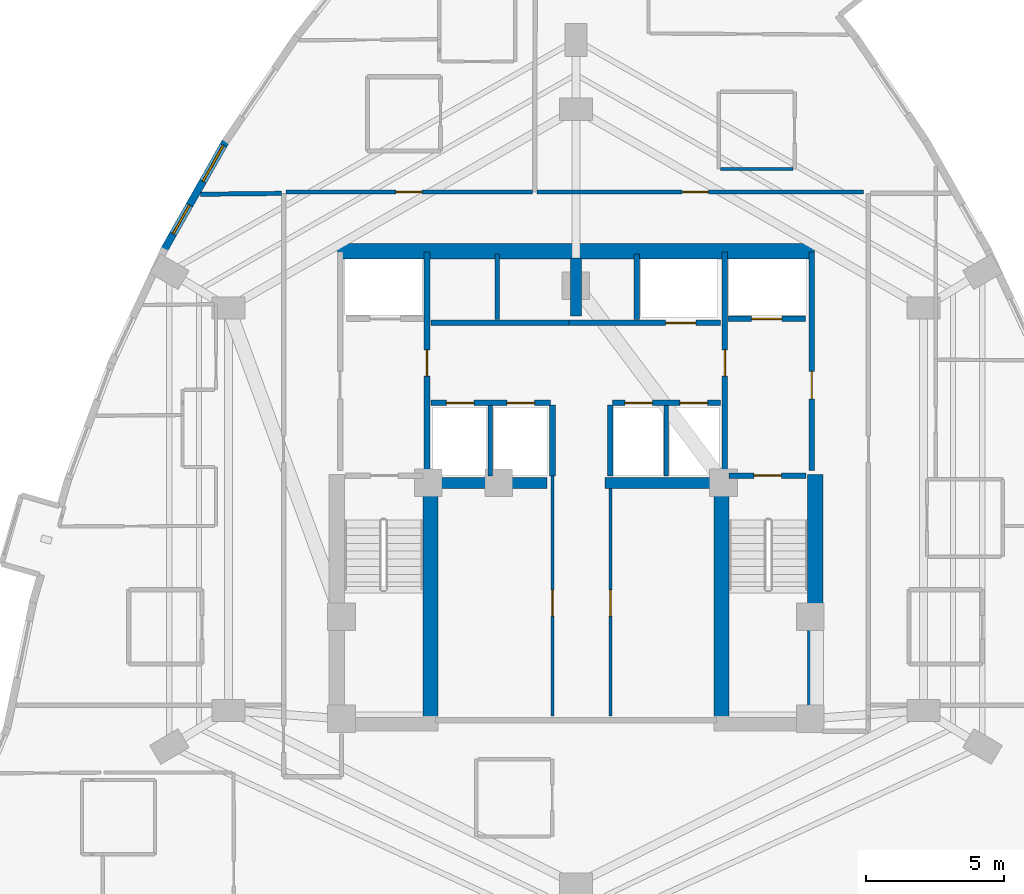
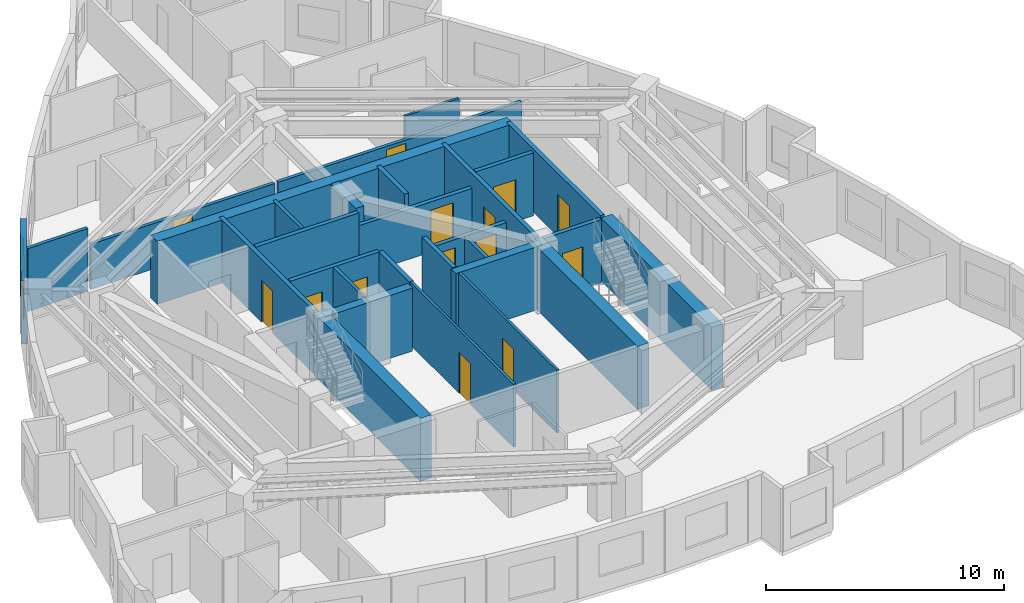
# One storey, part 10 of 14: 29 walls, 14 doors, 2 windows, 16 openings.
"""IFC4 building model written with IfcOpenShell, lengths in metres."""

from ifc_helpers import new_model, si_unit, direction, frame, frame_2d, origin, place, context, subcontext, project, spatial, rectangle, extrude, material, layer, layer_set, type_object, element, fill, save


model = new_model("IFC4")

# Units and contexts
model_context = context("Model", 3, precision=1e-05, world=origin(), true_north=direction((0.0, 1.0)))
body_context = subcontext(model_context, "Body", "Model", "MODEL_VIEW")
ifc_project = project(units=[si_unit("LENGTHUNIT", "METRE"), si_unit("AREAUNIT", "SQUARE_METRE"), si_unit("VOLUMEUNIT", "CUBIC_METRE"), si_unit("PLANEANGLEUNIT", "RADIAN"), si_unit("MASSUNIT", "GRAM", prefix="KILO")], contexts=[model_context])

# Site, building, storey
site_placement = place(None, origin())
site = spatial("IfcSite", under=ifc_project, at=site_placement, CompositionType="ELEMENT")
building_placement = place(site_placement, origin())
building = spatial("IfcBuilding", under=site, at=building_placement, Name="Miruveldt Soraemaru", CompositionType="ELEMENT")
storey_placement = place(building_placement, frame((0.0, 0.0, 114.39990234375)))
storey = spatial("IfcBuildingStorey", under=building, at=storey_placement, Name="L31", CompositionType="ELEMENT", Elevation=114.39990234375)

# Walls
ifc_material_1 = material(Name="Concrete C70/85 (70 MPa)", Category="concrete")
ifc_layer_1 = layer(ifc_material_1, 0.5, Name="Concrete C70/85 (70 MPa)", Category="concrete")
ifc_layer_set_1 = layer_set([ifc_layer_1], Name="Concrete C70/85 (70 MPa)")
wall_type_1 = type_object("IfcWallType", Name="WALL-BW-500", PredefinedType="SHEAR", material=ifc_layer_set_1)
wall_1_placement = place(storey_placement, frame((44.0, 50.10009765625, 0.0), z_axis=(0.0, 0.0, 1.0), x_axis=(0.0, 1.0, 0.0)))
element("IfcWall", 1, at=wall_1_placement, inside=storey, type_object=wall_type_1, Name="L31 Core Buttress Shear Wall BN", PredefinedType="SHEAR", context=body_context, shape_type="SweptSolid", body=[
    extrude(rectangle(XDim=2.099853515625, YDim=0.39990234375, at=frame_2d((1.0498046875, 0.0))), origin(), (0.0, 0.0, 1.0), 3.235107421875),
])
for number, where, z_axis, x_axis, name in (
    (2, (38.75, 44.050048828125, 0.0), (0.0, 0.0, 1.0), (1.0, 0.0, 0.0), "L31 Core Buttress Shear Wall BW"),
    (3, (45.050048828125, 44.050048828125, 0.0), (0.0, 0.0, 1.0), (1.0, 0.0, 0.0), "L31 Core Buttress Shear Wall BE"),
):
    element("IfcWall", number, at=place(storey_placement, frame(where, z_axis=z_axis, x_axis=x_axis)), inside=storey, type_object=wall_type_1, Name=name, PredefinedType="SHEAR", context=body_context, shape_type="SweptSolid", body=[
        extrude(rectangle(XDim=4.199951171875, YDim=0.39990234375, at=frame_2d((2.10009765625, 0.0))), origin(), (0.0, 0.0, 1.0), 3.235107421875),
    ])
ifc_layer_2 = layer(ifc_material_1, 0.550048828125, Name="Concrete C70/85 (70 MPa)", Category="concrete")
ifc_layer_set_2 = layer_set([ifc_layer_2], Name="Concrete C70/85 (70 MPa)")
wall_type_2 = type_object("IfcWallType", Name="WALL-CW-550", PredefinedType="SHEAR", material=ifc_layer_set_2)
wall_2_placement = place(storey_placement, frame((35.35009765625, 52.449951171875, 0.0), z_axis=(0.0, 0.0, 1.0), x_axis=(1.0, 0.0, 0.0)))
element("IfcWall", 4, at=wall_2_placement, inside=storey, type_object=wall_type_2, Name="L31 Central Core Shear Wall N", PredefinedType="SHEAR", context=body_context, shape_type="SweptSolid", body=[
    extrude(rectangle(XDim=17.2998046875, YDim=0.550048828125, at=frame_2d((8.64990234375, 0.0))), origin(), (0.0, 0.0, 1.0), 3.235107421875),
])
wall_3_placement = place(storey_placement, frame((52.675048828125, 35.050048828125, 0.0), z_axis=(0.0, 0.0, 1.0), x_axis=(0.0, 1.0, 0.0)))
element("IfcWall", 5, at=wall_3_placement, inside=storey, type_object=wall_type_2, Name="L31 Central Core Shear Wall E1", PredefinedType="SHEAR", context=body_context, shape_type="SweptSolid", body=[
    extrude(rectangle(XDim=9.300048828125, YDim=0.550048828125, at=frame_2d((4.64990234375, 0.0))), origin(), (0.0, 0.0, 1.0), 3.235107421875),
])
for number, where, z_axis, x_axis, name in (
    (6, (38.72509765625, 35.39990234375, 0.0), (0.0, 0.0, 1.0), (0.0, 1.0, 0.0), "L31 Central Core Shear Wall SW-INT"),
    (7, (49.27490234375, 35.39990234375, 0.0), (0.0, 0.0, 1.0), (0.0, 1.0, 0.0), "L31 Central Core Shear Wall SE-INT"),
):
    element("IfcWall", number, at=place(storey_placement, frame(where, z_axis=z_axis, x_axis=x_axis)), inside=storey, type_object=wall_type_2, Name=name, PredefinedType="SHEAR", context=body_context, shape_type="SweptSolid", body=[
        extrude(rectangle(XDim=8.9501953125, YDim=0.550048828125, at=frame_2d((4.47509765625, 0.0))), origin(), (0.0, 0.0, 1.0), 3.235107421875),
    ])

# Wall, openings, windows
ifc_material_2 = material(Name="Precast concrete C45/55 (45 MPa)", Category="concrete")
ifc_layer_3 = layer(ifc_material_2, 0.27001953125, Name="Precast concrete C45/55 (45 MPa)", Category="concrete")
ifc_layer_set_3 = layer_set([ifc_layer_3], Name="Precast concrete C45/55 (45 MPa)")
wall_type_3 = type_object("IfcWallType", Name="WALL-EXT-PC270", PredefinedType="SOLIDWALL", material=ifc_layer_set_3)
wall_4_placement = place(storey_placement, frame((31.319091796875, 56.47119140625, 0.0), z_axis=(0.0, 0.0, 1.0), x_axis=(-0.493365968838, -0.869821832786, 0.0)))
wall_4 = element("IfcWall", 8, at=wall_4_placement, inside=storey, type_object=wall_type_3, Name="L31 Precast Concrete Facade Wall 10", PredefinedType="SOLIDWALL", context=body_context, shape_type="SweptSolid", body=[
    extrude(rectangle(XDim=4.583740234375, YDim=0.27001953125, at=frame_2d((2.2919921875, 0.0))), origin(), (0.0, 0.0, 1.0), 3.235107421875),
])
opening_1_placement = place(wall_4_placement, frame((0.2109375, 0.0, 0.800048828125)))
opening_1 = element("IfcOpeningElement", 9, at=opening_1_placement, cuts=wall_4, Name="Opening WN-3", PredefinedType="OPENING", context=body_context, shape_type="SweptSolid", body=[
    extrude(rectangle(XDim=1.5, YDim=1.60009765625, at=frame_2d((0.75, 0.800048828125))), frame((0.0, 0.14501953125, 0.0), z_axis=(0.0, -1.0, 0.0), x_axis=(1.0, 0.0, 0.0)), (0.0, 0.0, 1.0), 0.2900390625),
])
opening_2_placement = place(wall_4_placement, frame((2.697021484375, 0.0, 0.780029296875)))
opening_2 = element("IfcOpeningElement", 10, at=opening_2_placement, cuts=wall_4, Name="Opening WN-4", PredefinedType="OPENING", context=body_context, shape_type="SweptSolid", body=[
    extrude(rectangle(XDim=1.199951171875, YDim=1.550048828125, at=frame_2d((0.60009765625, 0.77490234375))), frame((0.0, 0.14501953125, 0.0), z_axis=(0.0, -1.0, 0.0), x_axis=(1.0, 0.0, 0.0)), (0.0, 0.0, 1.0), 0.2900390625),
])
ifc_material_3 = material(Name="Triple low-e insulated glazing", Category="glass")
window_type_1 = type_object("IfcWindowType", Name="WIN-PUNCH-1200x1550", PartitioningType="SINGLE_PANEL", PredefinedType="WINDOW", material=ifc_material_3)
window_1_placement = place(opening_2_placement, origin())
window_1 = element("IfcWindow", 11, at=window_1_placement, inside=storey, type_object=window_type_1, Name="L31 Punched Triple-Glazed Window 10.2", OverallHeight=1.550048828125, OverallWidth=1.199951171875, PartitioningType="SINGLE_PANEL", PredefinedType="WINDOW", context=body_context, shape_type="SweptSolid", body=[
    extrude(rectangle(XDim=1.199951171875, YDim=1.550048828125, at=frame_2d((0.60009765625, 0.77490234375))), frame((0.0, 0.030029296875, 0.0), z_axis=(0.0, -1.0, 0.0), x_axis=(1.0, 0.0, 0.0)), (0.0, 0.0, 1.0), 0.06005859375),
])
fill(opening_2, window_1)
window_type_2 = type_object("IfcWindowType", Name="WIN-PUNCH-1500x1600", PartitioningType="SINGLE_PANEL", PredefinedType="WINDOW", material=ifc_material_3)
window_2_placement = place(opening_1_placement, origin())
window_2 = element("IfcWindow", 12, at=window_2_placement, inside=storey, type_object=window_type_2, Name="L31 Punched Triple-Glazed Window 10.1", OverallHeight=1.60009765625, OverallWidth=1.5, PartitioningType="SINGLE_PANEL", PredefinedType="WINDOW", context=body_context, shape_type="SweptSolid", body=[
    extrude(rectangle(XDim=1.5, YDim=1.60009765625, at=frame_2d((0.75, 0.800048828125))), frame((0.0, 0.030029296875, 0.0), z_axis=(0.0, -1.0, 0.0), x_axis=(1.0, 0.0, 0.0)), (0.0, 0.0, 1.0), 0.06005859375),
])
fill(opening_1, window_2)

# Wall, opening, door
ifc_material_4 = material(Name="Gypsum plasterboard lining", Category="gypsum")
ifc_layer_4 = layer(ifc_material_4, 0.1201171875, Name="Gypsum plasterboard lining", Category="gypsum")
ifc_layer_set_4 = layer_set([ifc_layer_4], Name="Gypsum plasterboard lining")
wall_type_4 = type_object("IfcWallType", Name="WALL-INT-P120", PredefinedType="PARTITIONING", material=ifc_layer_set_4)
wall_5_placement = place(storey_placement, frame((43.14990234375, 35.60009765625, 0.0), z_axis=(0.0, 0.0, 1.0), x_axis=(0.0, 1.0, 0.0)))
wall_5 = element("IfcWall", 13, at=wall_5_placement, inside=storey, type_object=wall_type_4, Name="L31 Core Compartment Wall SP-WL", PredefinedType="PARTITIONING", context=body_context, shape_type="SweptSolid", body=[
    extrude(rectangle(XDim=8.699951171875, YDim=0.1201171875, at=frame_2d((4.35009765625, 0.0))), origin(), (0.0, 0.0, 1.0), 3.235107421875),
])
opening_3_placement = place(wall_5_placement, frame((3.625, 0.0, 0.0)))
opening_3 = element("IfcOpeningElement", 14, at=opening_3_placement, cuts=wall_5, Name="Opening D2", PredefinedType="OPENING", context=body_context, shape_type="SweptSolid", body=[
    extrude(rectangle(XDim=0.949951171875, YDim=2.10009765625, at=frame_2d((0.47509765625, 1.050048828125))), frame((0.0, 0.070068359375, 0.0), z_axis=(0.0, -1.0, 0.0), x_axis=(1.0, 0.0, 0.0)), (0.0, 0.0, 1.0), 0.14013671875),
])
ifc_material_5 = material(Name="Anodised aluminium EN AW-6063 T6", Category="aluminium")
door_type_1 = type_object("IfcDoorType", Name="DOOR-INT-950", OperationType="NOTDEFINED", PredefinedType="DOOR", material=ifc_material_5)
door_1_placement = place(opening_3_placement, origin())
door_1 = element("IfcDoor", 15, at=door_1_placement, inside=storey, type_object=door_type_1, Name="L31 Fire Door", OperationType="SINGLE_SWING_LEFT", OverallHeight=2.10009765625, OverallWidth=0.949951171875, PredefinedType="DOOR", context=body_context, shape_type="SweptSolid", body=[
    extrude(rectangle(XDim=0.949951171875, YDim=2.10009765625, at=frame_2d((0.47509765625, 1.050048828125))), frame((0.0, 0.02490234375, 0.0), z_axis=(0.0, -1.0, 0.0), x_axis=(1.0, 0.0, 0.0)), (0.0, 0.0, 1.0), 0.050048828125),
])
fill(opening_3, door_1)

wall_6_placement = place(storey_placement, frame((45.25, 35.60009765625, 0.0), z_axis=(0.0, 0.0, 1.0), x_axis=(0.0, 1.0, 0.0)))
wall_6 = element("IfcWall", 16, at=wall_6_placement, inside=storey, type_object=wall_type_4, Name="L31 Core Compartment Wall SP-EL", PredefinedType="PARTITIONING", context=body_context, shape_type="SweptSolid", body=[
    extrude(rectangle(XDim=8.25, YDim=0.1201171875, at=frame_2d((4.125, 0.0))), origin(), (0.0, 0.0, 1.0), 3.235107421875),
])
opening_4_placement = place(wall_6_placement, frame((3.625, 0.0, 0.0)))
opening_4 = element("IfcOpeningElement", 17, at=opening_4_placement, cuts=wall_6, Name="Opening D2", PredefinedType="OPENING", context=body_context, shape_type="SweptSolid", body=[
    extrude(rectangle(XDim=0.949951171875, YDim=2.10009765625, at=frame_2d((0.47509765625, 1.050048828125))), frame((0.0, 0.070068359375, 0.0), z_axis=(0.0, -1.0, 0.0), x_axis=(1.0, 0.0, 0.0)), (0.0, 0.0, 1.0), 0.14013671875),
])
door_2_placement = place(opening_4_placement, origin())
door_2 = element("IfcDoor", 18, at=door_2_placement, inside=storey, type_object=door_type_1, Name="L31 Fire Door", OperationType="SINGLE_SWING_LEFT", OverallHeight=2.10009765625, OverallWidth=0.949951171875, PredefinedType="DOOR", context=body_context, shape_type="SweptSolid", body=[
    extrude(rectangle(XDim=0.949951171875, YDim=2.10009765625, at=frame_2d((0.47509765625, 1.050048828125))), frame((0.0, 0.02490234375, 0.0), z_axis=(0.0, -1.0, 0.0), x_axis=(1.0, 0.0, 0.0)), (0.0, 0.0, 1.0), 0.050048828125),
])
fill(opening_4, door_2)

# Wall
wall_7_placement = place(storey_placement, frame((49.239990234375, 55.429931640625, 0.0), z_axis=(0.0, 0.0, 1.0), x_axis=(1.0, 0.0, 0.0)))
element("IfcWall", 19, at=wall_7_placement, inside=storey, type_object=wall_type_4, Name="L31 Partition Wall 28", PredefinedType="PARTITIONING", context=body_context, shape_type="SweptSolid", body=[
    extrude(rectangle(XDim=2.630126953125, YDim=0.1201171875, at=frame_2d((1.31494140625, 0.0))), origin(), (0.0, 0.0, 1.0), 2.873046875),
])

# Wall, opening, door
ifc_material_6 = material(Name="Concrete C40/50 (40 MPa)", Category="concrete")
ifc_layer_5 = layer(ifc_material_6, 0.159912109375, Name="Concrete C40/50 (40 MPa)", Category="concrete")
ifc_layer_set_5 = layer_set([ifc_layer_5], Name="Concrete C40/50 (40 MPa)")
wall_type_5 = type_object("IfcWallType", Name="WALL-INT-RC160", PredefinedType="SOLIDWALL", material=ifc_layer_set_5)
wall_8_placement = place(storey_placement, frame((54.423095703125, 54.60009765625, 0.0), z_axis=(0.0, 0.0, 1.0), x_axis=(-1.0, 0.0, 0.0)))
wall_8 = element("IfcWall", 20, at=wall_8_placement, inside=storey, type_object=wall_type_5, Name="L31 Partition Wall 2", PredefinedType="SOLIDWALL", context=body_context, shape_type="SweptSolid", body=[
    extrude(rectangle(XDim=11.840087890625, YDim=0.159912109375, at=frame_2d((5.919921875, 0.0))), origin(), (0.0, 0.0, 1.0), 2.322998046875),
])
opening_5_placement = place(wall_8_placement, frame((5.625, 0.0, 0.0)))
opening_5 = element("IfcOpeningElement", 21, at=opening_5_placement, cuts=wall_8, Name="Opening FD2", PredefinedType="OPENING", context=body_context, shape_type="SweptSolid", body=[
    extrude(rectangle(XDim=0.949951171875, YDim=2.14990234375, at=frame_2d((0.47509765625, 1.074951171875))), frame((0.0, 0.08984375, 0.0), z_axis=(0.0, -1.0, 0.0), x_axis=(1.0, 0.0, 0.0)), (0.0, 0.0, 1.0), 0.179931640625),
])
door_type_2 = type_object("IfcDoorType", Name="DOOR-FD2-950", OperationType="NOTDEFINED", PredefinedType="DOOR", material=ifc_material_5)
door_3_placement = place(opening_5_placement, origin())
door_3 = element("IfcDoor", 22, at=door_3_placement, inside=storey, type_object=door_type_2, Name="L31 Unit 3102 Entrance Fire Door", OperationType="SINGLE_SWING_LEFT", OverallHeight=2.14990234375, OverallWidth=0.949951171875, PredefinedType="DOOR", context=body_context, shape_type="SweptSolid", body=[
    extrude(rectangle(XDim=0.949951171875, YDim=2.14990234375, at=frame_2d((0.47509765625, 1.074951171875))), frame((0.0, 0.02490234375, 0.0), z_axis=(0.0, -1.0, 0.0), x_axis=(1.0, 0.0, 0.0)), (0.0, 0.0, 1.0), 0.050048828125),
])
fill(opening_5, door_3)

wall_9_placement = place(storey_placement, frame((42.419921875, 54.60009765625, 0.0), z_axis=(0.0, 0.0, 1.0), x_axis=(-1.0, 0.0, 0.0)))
wall_9 = element("IfcWall", 23, at=wall_9_placement, inside=storey, type_object=wall_type_5, Name="L31 Partition Wall 1", PredefinedType="SOLIDWALL", context=body_context, shape_type="SweptSolid", body=[
    extrude(rectangle(XDim=8.93994140625, YDim=0.159912109375, at=frame_2d((4.469970703125, 0.0))), origin(), (0.0, 0.0, 1.0), 2.322998046875),
])
opening_6_placement = place(wall_9_placement, frame((3.9951171875, 0.0, 0.0)))
opening_6 = element("IfcOpeningElement", 24, at=opening_6_placement, cuts=wall_9, Name="Opening FD2", PredefinedType="OPENING", context=body_context, shape_type="SweptSolid", body=[
    extrude(rectangle(XDim=0.949951171875, YDim=2.14990234375, at=frame_2d((0.47509765625, 1.074951171875))), frame((0.0, 0.08984375, 0.0), z_axis=(0.0, -1.0, 0.0), x_axis=(1.0, 0.0, 0.0)), (0.0, 0.0, 1.0), 0.179931640625),
])
door_4_placement = place(opening_6_placement, origin())
door_4 = element("IfcDoor", 25, at=door_4_placement, inside=storey, type_object=door_type_2, Name="L31 Unit 3101 Entrance Fire Door", OperationType="SINGLE_SWING_LEFT", OverallHeight=2.14990234375, OverallWidth=0.949951171875, PredefinedType="DOOR", context=body_context, shape_type="SweptSolid", body=[
    extrude(rectangle(XDim=0.949951171875, YDim=2.14990234375, at=frame_2d((0.47509765625, 1.074951171875))), frame((0.0, 0.02490234375, 0.0), z_axis=(0.0, -1.0, 0.0), x_axis=(1.0, 0.0, 0.0)), (0.0, 0.0, 1.0), 0.050048828125),
])
fill(opening_6, door_4)

# Walls
wall_10_placement = place(storey_placement, frame((30.383056640625, 54.51708984375, 0.0), z_axis=(0.0, 0.0, 1.0), x_axis=(0.999940586961, 0.010900575592, 0.0)))
element("IfcWall", 26, at=wall_10_placement, inside=storey, type_object=wall_type_5, Name="L31 Partition Wall 22", PredefinedType="SOLIDWALL", context=body_context, shape_type="SweptSolid", body=[
    extrude(rectangle(XDim=2.93408203125, YDim=0.159912109375, at=frame_2d((1.467041015625, 0.0))), origin(), (0.0, 0.0, 1.0), 3.235107421875),
])
wall_11_placement = place(storey_placement, frame((40.89990234375, 44.300048828125, 0.0), z_axis=(0.0, 0.0, 1.0), x_axis=(0.0, 1.0, 0.0)))
element("IfcWall", 27, at=wall_11_placement, inside=storey, type_object=wall_type_5, Name="L31 Core Compartment Wall PLM-DW", PredefinedType="SOLIDWALL", context=body_context, shape_type="SweptSolid", body=[
    extrude(rectangle(XDim=2.550048828125, YDim=0.159912109375, at=frame_2d((1.27490234375, 0.0))), origin(), (0.0, 0.0, 1.0), 3.235107421875),
])
wall_12_placement = place(storey_placement, frame((47.280029296875, 44.300048828125, 0.0), z_axis=(0.0, 0.0, 1.0), x_axis=(0.0, 1.0, 0.0)))
element("IfcWall", 28, at=wall_12_placement, inside=storey, type_object=wall_type_5, Name="L31 Core Compartment Wall PLM-DE", PredefinedType="SOLIDWALL", context=body_context, shape_type="SweptSolid", body=[
    extrude(rectangle(XDim=2.550048828125, YDim=0.159912109375, at=frame_2d((1.27490234375, 0.0))), origin(), (0.0, 0.0, 1.0), 2.572998046875),
])
wall_13_placement = place(storey_placement, frame((41.14990234375, 49.97998046875, 0.0), z_axis=(0.0, 0.0, 1.0), x_axis=(0.0, 1.0, 0.0)))
element("IfcWall", 29, at=wall_13_placement, inside=storey, type_object=wall_type_5, Name="L31 Core Compartment Wall PLH-DIV1", PredefinedType="SOLIDWALL", context=body_context, shape_type="SweptSolid", body=[
    extrude(rectangle(XDim=2.3701171875, YDim=0.159912109375, at=frame_2d((1.18505859375, 0.0))), origin(), (0.0, 0.0, 1.0), 3.235107421875),
])

# Wall, opening, door
ifc_layer_6 = layer(ifc_material_6, 0.199951171875, Name="Concrete C40/50 (40 MPa)", Category="concrete")
ifc_layer_set_6 = layer_set([ifc_layer_6], Name="Concrete C40/50 (40 MPa)")
wall_type_6 = type_object("IfcWallType", Name="WALL-INT-RC200", PredefinedType="SOLIDWALL", material=ifc_layer_set_6)
wall_14_placement = place(storey_placement, frame((52.550048828125, 44.5, 0.0), z_axis=(0.0, 0.0, 1.0), x_axis=(0.0, 1.0, 0.0)))
wall_14 = element("IfcWall", 30, at=wall_14_placement, inside=storey, type_object=wall_type_6, Name="L31 Core Compartment Wall FFE-OUT", PredefinedType="SOLIDWALL", context=body_context, shape_type="SweptSolid", body=[
    extrude(rectangle(XDim=7.919921875, YDim=0.199951171875, at=frame_2d((3.9599609375, 0.0))), origin(), (0.0, 0.0, 1.0), 3.235107421875),
])
opening_7_placement = place(wall_14_placement, frame((2.60009765625, 0.0, 0.0)))
opening_7 = element("IfcOpeningElement", 31, at=opening_7_placement, cuts=wall_14, Name="Opening FD1", PredefinedType="OPENING", context=body_context, shape_type="SweptSolid", body=[
    extrude(rectangle(XDim=1.0, YDim=2.14990234375, at=frame_2d((0.5, 1.074951171875))), frame((0.0, 0.10986328125, 0.0), z_axis=(0.0, -1.0, 0.0), x_axis=(1.0, 0.0, 0.0)), (0.0, 0.0, 1.0), 0.219970703125),
])
door_type_3 = type_object("IfcDoorType", Name="DOOR-FD1-1000", OperationType="NOTDEFINED", PredefinedType="DOOR", material=ifc_material_5)
door_5_placement = place(opening_7_placement, frame((1.0, 0.0, 0.0), z_axis=(0.0, 0.0, 1.0), x_axis=(-1.0, 0.0, 0.0)))
door_5 = element("IfcDoor", 32, at=door_5_placement, inside=storey, type_object=door_type_3, Name="L31 East Firefighting Lobby Exit Door", OperationType="SINGLE_SWING_RIGHT", OverallHeight=2.14990234375, OverallWidth=1.0, PredefinedType="DOOR", context=body_context, shape_type="SweptSolid", body=[
    extrude(rectangle(XDim=1.0, YDim=2.14990234375, at=frame_2d((0.5, 1.074951171875))), frame((0.0, 0.02490234375, 0.0), z_axis=(0.0, -1.0, 0.0), x_axis=(1.0, 0.0, 0.0)), (0.0, 0.0, 1.0), 0.050048828125),
])
fill(opening_7, door_5)

wall_15_placement = place(storey_placement, frame((38.60009765625, 44.5, 0.0), z_axis=(0.0, 0.0, 1.0), x_axis=(0.0, 1.0, 0.0)))
wall_15 = element("IfcWall", 33, at=wall_15_placement, inside=storey, type_object=wall_type_6, Name="L31 Core Compartment Wall FFW-IN", PredefinedType="SOLIDWALL", context=body_context, shape_type="SweptSolid", body=[
    extrude(rectangle(XDim=7.919921875, YDim=0.199951171875, at=frame_2d((3.9599609375, 0.0))), origin(), (0.0, 0.0, 1.0), 3.235107421875),
])
opening_8_placement = place(wall_15_placement, frame((3.425048828125, 0.0, 0.0)))
opening_8 = element("IfcOpeningElement", 34, at=opening_8_placement, cuts=wall_15, Name="Opening FD2", PredefinedType="OPENING", context=body_context, shape_type="SweptSolid", body=[
    extrude(rectangle(XDim=0.949951171875, YDim=2.14990234375, at=frame_2d((0.47509765625, 1.074951171875))), frame((0.0, 0.10986328125, 0.0), z_axis=(0.0, -1.0, 0.0), x_axis=(1.0, 0.0, 0.0)), (0.0, 0.0, 1.0), 0.219970703125),
])
door_6_placement = place(opening_8_placement, frame((0.949951171875, 0.0, 0.0), z_axis=(0.0, 0.0, 1.0), x_axis=(-1.0, 0.0, 0.0)))
door_6 = element("IfcDoor", 35, at=door_6_placement, inside=storey, type_object=door_type_2, Name="L31 Lift Lobby to West Fire Lobby Door", OperationType="SINGLE_SWING_RIGHT", OverallHeight=2.14990234375, OverallWidth=0.949951171875, PredefinedType="DOOR", context=body_context, shape_type="SweptSolid", body=[
    extrude(rectangle(XDim=0.949951171875, YDim=2.14990234375, at=frame_2d((0.47509765625, 1.074951171875))), frame((0.0, 0.02490234375, 0.0), z_axis=(0.0, -1.0, 0.0), x_axis=(1.0, 0.0, 0.0)), (0.0, 0.0, 1.0), 0.050048828125),
])
fill(opening_8, door_6)

wall_16_placement = place(storey_placement, frame((49.39990234375, 44.5, 0.0), z_axis=(0.0, 0.0, 1.0), x_axis=(0.0, 1.0, 0.0)))
wall_16 = element("IfcWall", 36, at=wall_16_placement, inside=storey, type_object=wall_type_6, Name="L31 Core Compartment Wall FFE-IN", PredefinedType="SOLIDWALL", context=body_context, shape_type="SweptSolid", body=[
    extrude(rectangle(XDim=7.919921875, YDim=0.199951171875, at=frame_2d((3.9599609375, 0.0))), origin(), (0.0, 0.0, 1.0), 3.235107421875),
])
opening_9_placement = place(wall_16_placement, frame((3.425048828125, 0.0, 0.0)))
opening_9 = element("IfcOpeningElement", 37, at=opening_9_placement, cuts=wall_16, Name="Opening FD2", PredefinedType="OPENING", context=body_context, shape_type="SweptSolid", body=[
    extrude(rectangle(XDim=0.949951171875, YDim=2.14990234375, at=frame_2d((0.47509765625, 1.074951171875))), frame((0.0, 0.10986328125, 0.0), z_axis=(0.0, -1.0, 0.0), x_axis=(1.0, 0.0, 0.0)), (0.0, 0.0, 1.0), 0.219970703125),
])
door_7_placement = place(opening_9_placement, origin())
door_7 = element("IfcDoor", 38, at=door_7_placement, inside=storey, type_object=door_type_2, Name="L31 Lift Lobby to East Fire Lobby Door", OperationType="SINGLE_SWING_LEFT", OverallHeight=2.14990234375, OverallWidth=0.949951171875, PredefinedType="DOOR", context=body_context, shape_type="SweptSolid", body=[
    extrude(rectangle(XDim=0.949951171875, YDim=2.14990234375, at=frame_2d((0.47509765625, 1.074951171875))), frame((0.0, 0.02490234375, 0.0), z_axis=(0.0, -1.0, 0.0), x_axis=(1.0, 0.0, 0.0)), (0.0, 0.0, 1.0), 0.050048828125),
])
fill(opening_9, door_7)

wall_17_placement = place(storey_placement, frame((43.75, 49.85009765625, 0.0), z_axis=(0.0, 0.0, 1.0), x_axis=(1.0, 0.0, 0.0)))
wall_17 = element("IfcWall", 39, at=wall_17_placement, inside=storey, type_object=wall_type_6, Name="L31 Core Compartment Wall ROWA-SE", PredefinedType="SOLIDWALL", context=body_context, shape_type="SweptSolid", body=[
    extrude(rectangle(XDim=5.5, YDim=0.199951171875, at=frame_2d((2.75, 0.0))), origin(), (0.0, 0.0, 1.0), 2.572998046875),
])
opening_10_placement = place(wall_17_placement, frame((3.5, 0.0, 0.0)))
opening_10 = element("IfcOpeningElement", 40, at=opening_10_placement, cuts=wall_17, Name="Opening LD2", PredefinedType="OPENING", context=body_context, shape_type="SweptSolid", body=[
    extrude(rectangle(XDim=1.10009765625, YDim=2.14990234375, at=frame_2d((0.550048828125, 1.074951171875))), frame((0.0, 0.10986328125, 0.0), z_axis=(0.0, -1.0, 0.0), x_axis=(1.0, 0.0, 0.0)), (0.0, 0.0, 1.0), 0.219970703125),
])
door_type_4 = type_object("IfcDoorType", Name="DOOR-LD2-1100", OperationType="SLIDING_TO_LEFT", PredefinedType="DOOR", material=ifc_material_5)
door_8_placement = place(opening_10_placement, origin())
door_8 = element("IfcDoor", 41, at=door_8_placement, inside=storey, type_object=door_type_4, Name="L31 SL-1 Landing Door", OperationType="SLIDING_TO_LEFT", OverallHeight=2.14990234375, OverallWidth=1.10009765625, PredefinedType="DOOR", context=body_context, shape_type="SweptSolid", body=[
    extrude(rectangle(XDim=1.10009765625, YDim=2.14990234375, at=frame_2d((0.550048828125, 1.074951171875))), frame((0.0, 0.02490234375, 0.0), z_axis=(0.0, -1.0, 0.0), x_axis=(1.0, 0.0, 0.0)), (0.0, 0.0, 1.0), 0.050048828125),
])
fill(opening_10, door_8)

# Wall, openings, doors
wall_18_placement = place(storey_placement, frame((38.75, 46.949951171875, 0.0), z_axis=(0.0, 0.0, 1.0), x_axis=(1.0, 0.0, 0.0)))
wall_18 = element("IfcWall", 42, at=wall_18_placement, inside=storey, type_object=wall_type_6, Name="L31 Core Compartment Wall MBW-N", PredefinedType="SOLIDWALL", context=body_context, shape_type="SweptSolid", body=[
    extrude(rectangle(XDim=4.330078125, YDim=0.199951171875, at=frame_2d((2.1650390625, 0.0))), origin(), (0.0, 0.0, 1.0), 3.235107421875),
])
opening_11_placement = place(wall_18_placement, frame((0.550048828125, 0.0, 0.0)))
opening_11 = element("IfcOpeningElement", 43, at=opening_11_placement, cuts=wall_18, Name="Opening LD1B", PredefinedType="OPENING", context=body_context, shape_type="SweptSolid", body=[
    extrude(rectangle(XDim=1.0, YDim=2.14990234375, at=frame_2d((0.5, 1.074951171875))), frame((0.0, 0.10986328125, 0.0), z_axis=(0.0, -1.0, 0.0), x_axis=(1.0, 0.0, 0.0)), (0.0, 0.0, 1.0), 0.219970703125),
])
opening_12_placement = place(wall_18_placement, frame((2.75, 0.0, 0.0)))
opening_12 = element("IfcOpeningElement", 44, at=opening_12_placement, cuts=wall_18, Name="Opening LD1B", PredefinedType="OPENING", context=body_context, shape_type="SweptSolid", body=[
    extrude(rectangle(XDim=1.0, YDim=2.14990234375, at=frame_2d((0.5, 1.074951171875))), frame((0.0, 0.10986328125, 0.0), z_axis=(0.0, -1.0, 0.0), x_axis=(1.0, 0.0, 0.0)), (0.0, 0.0, 1.0), 0.219970703125),
])
door_type_5 = type_object("IfcDoorType", Name="DOOR-LD1-1000", OperationType="SLIDING_TO_LEFT", PredefinedType="DOOR", material=ifc_material_5)
door_9_placement = place(opening_11_placement, origin())
door_9 = element("IfcDoor", 45, at=door_9_placement, inside=storey, type_object=door_type_5, Name="L31 PL-M1 Landing Door", OperationType="SLIDING_TO_LEFT", OverallHeight=2.14990234375, OverallWidth=1.0, PredefinedType="DOOR", context=body_context, shape_type="SweptSolid", body=[
    extrude(rectangle(XDim=1.0, YDim=2.14990234375, at=frame_2d((0.5, 1.074951171875))), frame((0.0, 0.02490234375, 0.0), z_axis=(0.0, -1.0, 0.0), x_axis=(1.0, 0.0, 0.0)), (0.0, 0.0, 1.0), 0.050048828125),
])
fill(opening_11, door_9)
door_10_placement = place(opening_12_placement, origin())
door_10 = element("IfcDoor", 46, at=door_10_placement, inside=storey, type_object=door_type_5, Name="L31 PL-M2 Landing Door", OperationType="SLIDING_TO_LEFT", OverallHeight=2.14990234375, OverallWidth=1.0, PredefinedType="DOOR", context=body_context, shape_type="SweptSolid", body=[
    extrude(rectangle(XDim=1.0, YDim=2.14990234375, at=frame_2d((0.5, 1.074951171875))), frame((0.0, 0.02490234375, 0.0), z_axis=(0.0, -1.0, 0.0), x_axis=(1.0, 0.0, 0.0)), (0.0, 0.0, 1.0), 0.050048828125),
])
fill(opening_12, door_10)

wall_19_placement = place(storey_placement, frame((45.320068359375, 46.949951171875, 0.0), z_axis=(0.0, 0.0, 1.0), x_axis=(1.0, 0.0, 0.0)))
wall_19 = element("IfcWall", 47, at=wall_19_placement, inside=storey, type_object=wall_type_6, Name="L31 Core Compartment Wall MBE-N", PredefinedType="SOLIDWALL", context=body_context, shape_type="SweptSolid", body=[
    extrude(rectangle(XDim=3.929931640625, YDim=0.199951171875, at=frame_2d((1.96484375, 0.0))), origin(), (0.0, 0.0, 1.0), 2.572998046875),
])
opening_13_placement = place(wall_19_placement, frame((0.449951171875, 0.0, 0.0)))
opening_13 = element("IfcOpeningElement", 48, at=opening_13_placement, cuts=wall_19, Name="Opening LD1B", PredefinedType="OPENING", context=body_context, shape_type="SweptSolid", body=[
    extrude(rectangle(XDim=1.0, YDim=2.14990234375, at=frame_2d((0.5, 1.074951171875))), frame((0.0, 0.10986328125, 0.0), z_axis=(0.0, -1.0, 0.0), x_axis=(1.0, 0.0, 0.0)), (0.0, 0.0, 1.0), 0.219970703125),
])
opening_14_placement = place(wall_19_placement, frame((2.449951171875, 0.0, 0.0)))
opening_14 = element("IfcOpeningElement", 49, at=opening_14_placement, cuts=wall_19, Name="Opening LD1B", PredefinedType="OPENING", context=body_context, shape_type="SweptSolid", body=[
    extrude(rectangle(XDim=1.0, YDim=2.14990234375, at=frame_2d((0.5, 1.074951171875))), frame((0.0, 0.10986328125, 0.0), z_axis=(0.0, -1.0, 0.0), x_axis=(1.0, 0.0, 0.0)), (0.0, 0.0, 1.0), 0.219970703125),
])
door_11_placement = place(opening_13_placement, origin())
door_11 = element("IfcDoor", 50, at=door_11_placement, inside=storey, type_object=door_type_5, Name="L31 PL-M3 Landing Door", OperationType="SLIDING_TO_LEFT", OverallHeight=2.14990234375, OverallWidth=1.0, PredefinedType="DOOR", context=body_context, shape_type="SweptSolid", body=[
    extrude(rectangle(XDim=1.0, YDim=2.14990234375, at=frame_2d((0.5, 1.074951171875))), frame((0.0, 0.02490234375, 0.0), z_axis=(0.0, -1.0, 0.0), x_axis=(1.0, 0.0, 0.0)), (0.0, 0.0, 1.0), 0.050048828125),
])
fill(opening_13, door_11)
door_12_placement = place(opening_14_placement, origin())
door_12 = element("IfcDoor", 51, at=door_12_placement, inside=storey, type_object=door_type_5, Name="L31 PL-M4 Landing Door", OperationType="SLIDING_TO_LEFT", OverallHeight=2.14990234375, OverallWidth=1.0, PredefinedType="DOOR", context=body_context, shape_type="SweptSolid", body=[
    extrude(rectangle(XDim=1.0, YDim=2.14990234375, at=frame_2d((0.5, 1.074951171875))), frame((0.0, 0.02490234375, 0.0), z_axis=(0.0, -1.0, 0.0), x_axis=(1.0, 0.0, 0.0)), (0.0, 0.0, 1.0), 0.050048828125),
])
fill(opening_14, door_12)

# Wall, opening, door
wall_20_placement = place(storey_placement, frame((49.550048828125, 44.320068359375, 0.0), z_axis=(0.0, 0.0, 1.0), x_axis=(1.0, 0.0, 0.0)))
wall_20 = element("IfcWall", 52, at=wall_20_placement, inside=storey, type_object=wall_type_6, Name="L31 Core Compartment Wall ST2-N", PredefinedType="SOLIDWALL", context=body_context, shape_type="SweptSolid", body=[
    extrude(rectangle(XDim=2.800048828125, YDim=0.199951171875, at=frame_2d((1.39990234375, 0.0))), origin(), (0.0, 0.0, 1.0), 3.235107421875),
])
opening_15_placement = place(wall_20_placement, frame((0.89990234375, 0.0, 0.0)))
opening_15 = element("IfcOpeningElement", 53, at=opening_15_placement, cuts=wall_20, Name="Opening FD1", PredefinedType="OPENING", context=body_context, shape_type="SweptSolid", body=[
    extrude(rectangle(XDim=1.0, YDim=2.14990234375, at=frame_2d((0.5, 1.074951171875))), frame((0.0, 0.10986328125, 0.0), z_axis=(0.0, -1.0, 0.0), x_axis=(1.0, 0.0, 0.0)), (0.0, 0.0, 1.0), 0.219970703125),
])
door_13_placement = place(opening_15_placement, frame((1.0, 0.0, 0.0), z_axis=(0.0, 0.0, 1.0), x_axis=(-1.0, 0.0, 0.0)))
door_13 = element("IfcDoor", 54, at=door_13_placement, inside=storey, type_object=door_type_3, Name="L31 Stair ST-2 Fire Door", OperationType="SINGLE_SWING_RIGHT", OverallHeight=2.14990234375, OverallWidth=1.0, PredefinedType="DOOR", context=body_context, shape_type="SweptSolid", body=[
    extrude(rectangle(XDim=1.0, YDim=2.14990234375, at=frame_2d((0.5, 1.074951171875))), frame((0.0, 0.02490234375, 0.0), z_axis=(0.0, -1.0, 0.0), x_axis=(1.0, 0.0, 0.0)), (0.0, 0.0, 1.0), 0.050048828125),
])
fill(opening_15, door_13)

wall_21_placement = place(storey_placement, frame((49.52001953125, 50.0, 0.0), z_axis=(0.0, 0.0, 1.0), x_axis=(1.0, 0.0, 0.0)))
wall_21 = element("IfcWall", 55, at=wall_21_placement, inside=storey, type_object=wall_type_6, Name="L31 Core Compartment Wall FFL2-S", PredefinedType="SOLIDWALL", context=body_context, shape_type="SweptSolid", body=[
    extrude(rectangle(XDim=2.800048828125, YDim=0.199951171875, at=frame_2d((1.39990234375, 0.0))), origin(), (0.0, 0.0, 1.0), 3.235107421875),
])
opening_16_placement = place(wall_21_placement, frame((0.85009765625, 0.0, 0.0)))
opening_16 = element("IfcOpeningElement", 56, at=opening_16_placement, cuts=wall_21, Name="Opening LD2", PredefinedType="OPENING", context=body_context, shape_type="SweptSolid", body=[
    extrude(rectangle(XDim=1.10009765625, YDim=2.14990234375, at=frame_2d((0.550048828125, 1.074951171875))), frame((0.0, 0.10986328125, 0.0), z_axis=(0.0, -1.0, 0.0), x_axis=(1.0, 0.0, 0.0)), (0.0, 0.0, 1.0), 0.219970703125),
])
door_14_placement = place(opening_16_placement, origin())
door_14 = element("IfcDoor", 57, at=door_14_placement, inside=storey, type_object=door_type_4, Name="L31 FFL-2 Landing Door", OperationType="SLIDING_TO_LEFT", OverallHeight=2.14990234375, OverallWidth=1.10009765625, PredefinedType="DOOR", context=body_context, shape_type="SweptSolid", body=[
    extrude(rectangle(XDim=1.10009765625, YDim=2.14990234375, at=frame_2d((0.550048828125, 1.074951171875))), frame((0.0, 0.02490234375, 0.0), z_axis=(0.0, -1.0, 0.0), x_axis=(1.0, 0.0, 0.0)), (0.0, 0.0, 1.0), 0.050048828125),
])
fill(opening_16, door_14)

# Walls
wall_22_placement = place(storey_placement, frame((38.75, 49.85009765625, 0.0), z_axis=(0.0, 0.0, 1.0), x_axis=(1.0, 0.0, 0.0)))
element("IfcWall", 58, at=wall_22_placement, inside=storey, type_object=wall_type_6, Name="L31 Core Compartment Wall ROWA-SW", PredefinedType="SOLIDWALL", context=body_context, shape_type="SweptSolid", body=[
    extrude(rectangle(XDim=5.0, YDim=0.199951171875, at=frame_2d((2.5, 0.0))), origin(), (0.0, 0.0, 1.0), 3.235107421875),
])
for number, where, z_axis, x_axis, name in (
    (59, (43.14990234375, 44.300048828125, 0.0), (0.0, 0.0, 1.0), (0.0, 1.0, 0.0), "L31 Core Compartment Wall SP-WB"),
    (60, (45.25, 44.300048828125, 0.0), (0.0, 0.0, 1.0), (0.0, 1.0, 0.0), "L31 Core Compartment Wall SP-EB"),
):
    element("IfcWall", number, at=place(storey_placement, frame(where, z_axis=z_axis, x_axis=x_axis)), inside=storey, type_object=wall_type_6, Name=name, PredefinedType="SOLIDWALL", context=body_context, shape_type="SweptSolid", body=[
        extrude(rectangle(XDim=2.579833984375, YDim=0.199951171875, at=frame_2d((1.2900390625, 0.0))), origin(), (0.0, 0.0, 1.0), 3.235107421875),
    ])
wall_23_placement = place(storey_placement, frame((46.199951171875, 49.97998046875, 0.0), z_axis=(0.0, 0.0, 1.0), x_axis=(0.0, 1.0, 0.0)))
element("IfcWall", 61, at=wall_23_placement, inside=storey, type_object=wall_type_6, Name="L31 Core Compartment Wall PLH-SL-DIV", PredefinedType="SOLIDWALL", context=body_context, shape_type="SweptSolid", body=[
    extrude(rectangle(XDim=2.3701171875, YDim=0.199951171875, at=frame_2d((1.18505859375, 0.0))), origin(), (0.0, 0.0, 1.0), 3.235107421875),
])

save(model, "model.ifc")
